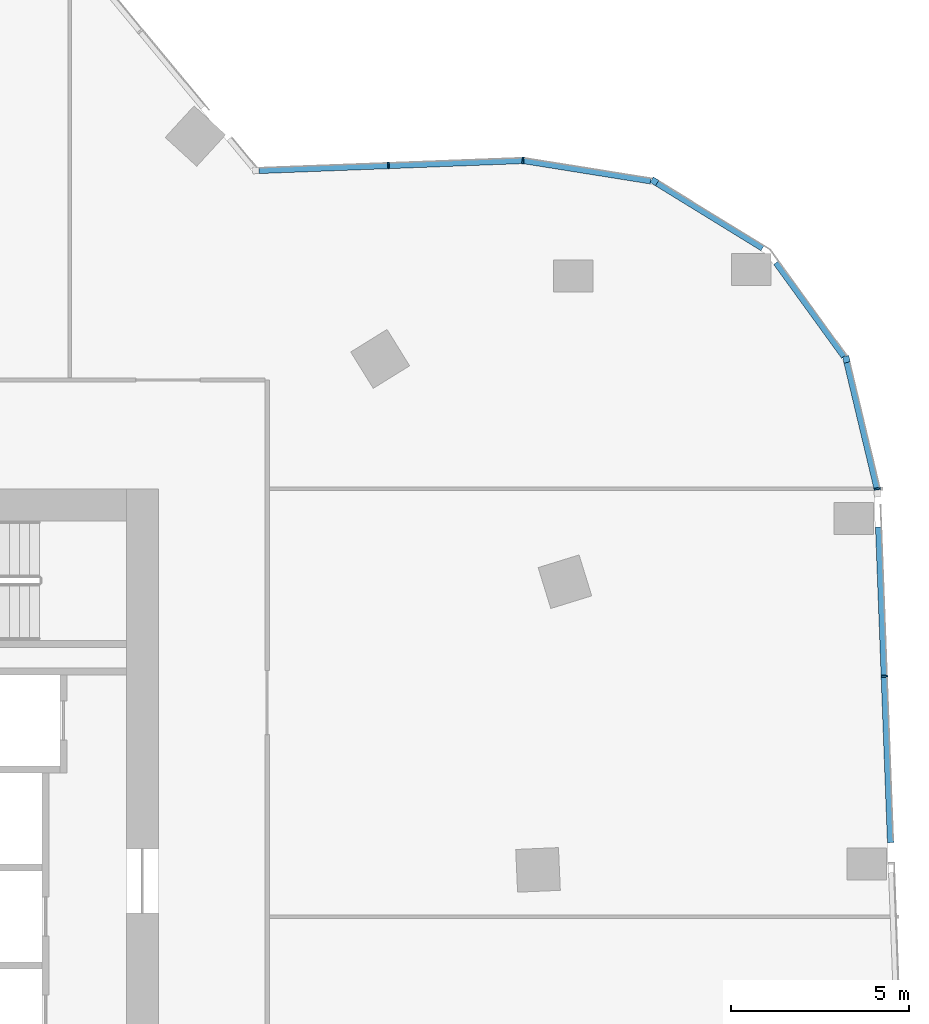
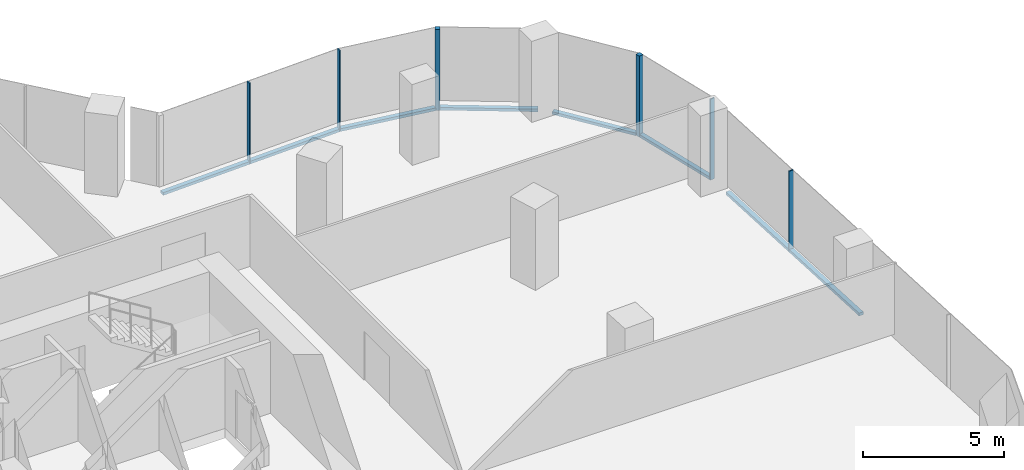
# One storey, part 12 of 24: 12 members, 6 elements without a shape of their own.
"""IFC4 building model written with IfcOpenShell, lengths in metres."""

from ifc_helpers import new_model, si_unit, direction, frame, origin, origin_2d, place, context, subcontext, project, spatial, rectangle, extrude, material, material_profile, profile_set, type_object, element, aggregate, save


model = new_model("IFC4")

# Units and contexts
model_context = context("Model", 3, precision=1e-05, world=origin(), true_north=direction((0.0, 1.0)))
body_context = subcontext(model_context, "Body", "Model", "MODEL_VIEW")
ifc_project = project(units=[si_unit("LENGTHUNIT", "METRE"), si_unit("AREAUNIT", "SQUARE_METRE"), si_unit("VOLUMEUNIT", "CUBIC_METRE"), si_unit("PLANEANGLEUNIT", "RADIAN"), si_unit("MASSUNIT", "GRAM", prefix="KILO")], contexts=[model_context])

# Site, building, storey
site_placement = place(None, origin())
site = spatial("IfcSite", under=ifc_project, at=site_placement, CompositionType="ELEMENT")
building_placement = place(site_placement, origin())
building = spatial("IfcBuilding", under=site, at=building_placement, Name="Orlundy Tower", CompositionType="ELEMENT")
storey_placement = place(building_placement, frame((0.0, 0.0, 170.60009765625)))
storey = spatial("IfcBuildingStorey", under=building, at=storey_placement, Name="L44", CompositionType="ELEMENT", Elevation=170.60009765625)

# Curtain wall, member
ifc_material_1 = material(Name="Aluminium bronze anodised", Category="aluminium")
curtain_wall_type = type_object("IfcCurtainWallType", Name="CW1 wall", PredefinedType="NOTDEFINED", material=ifc_material_1)
curtain_wall_1_placement = place(storey_placement, origin())
curtain_wall_1 = element("IfcCurtainWall", 1, at=curtain_wall_1_placement, inside=storey, type_object=curtain_wall_type, Name="CW1 run 08", PredefinedType="NOTDEFINED")
ifc_material_2 = material(Name="Aluminium bronze anodised", Category="aluminium")
ifc_material_profile_1 = material_profile(ifc_material_2, rectangle(XDim=0.179931640625, YDim=0.179931640625, at=origin_2d()), Name="CW1 corner post 180x180")
ifc_profile_set_1 = profile_set([ifc_material_profile_1], Name="Aluminium bronze anodised")
member_type_1 = type_object("IfcMemberType", Name="CW1 corner post 180x180", PredefinedType="MULLION", material=ifc_profile_set_1)
member_1_placement = place(storey_placement, frame((32.914794921875, 20.62109375, -0.420166015625), z_axis=(0.0, 0.0, 1.0), x_axis=(0.523946886645, 0.85175093776, 0.0)))
member_1 = element("IfcMember", 2, at=member_1_placement, type_object=member_type_1, Name="CW1 mullion 29", PredefinedType="MULLION", context=body_context, shape_type="SweptSolid", body=[
    extrude(rectangle(XDim=0.179931640625, YDim=0.179931640625, at=origin_2d()), origin(), (0.0, 0.0, 1.0), 3.5),
])

curtain_wall_2_placement = place(storey_placement, origin())
curtain_wall_2 = element("IfcCurtainWall", 3, at=curtain_wall_2_placement, inside=storey, type_object=curtain_wall_type, Name="CW1 run 010", PredefinedType="NOTDEFINED")
member_2_placement = place(storey_placement, frame((38.29833984375, 15.62939453125, -0.420166015625), z_axis=(0.0, 0.0, 1.0), x_axis=(0.972704793959, 0.23204608122, 0.0)))
member_2 = element("IfcMember", 4, at=member_2_placement, type_object=member_type_1, Name="CW1 mullion 31", PredefinedType="MULLION", context=body_context, shape_type="SweptSolid", body=[
    extrude(rectangle(XDim=0.179931640625, YDim=0.179931640625, at=origin_2d()), origin(), (0.0, 0.0, 1.0), 3.5),
])

curtain_wall_3_placement = place(storey_placement, origin())
curtain_wall_3 = element("IfcCurtainWall", 5, at=curtain_wall_3_placement, inside=storey, type_object=curtain_wall_type, Name="CW1 run 06", PredefinedType="NOTDEFINED")
ifc_material_3 = material(Name="Aluminium bronze anodised", Category="aluminium")
ifc_material_profile_2 = material_profile(ifc_material_3, rectangle(XDim=0.179931640625, YDim=0.050048828125, at=origin_2d()), Name="CW1 mullion 50x180")
ifc_profile_set_2 = profile_set([ifc_material_profile_2], Name="Aluminium bronze anodised")
member_type_2 = type_object("IfcMemberType", Name="CW1 mullion 50x180", PredefinedType="MULLION", material=ifc_profile_set_2)
member_3_placement = place(storey_placement, frame((25.455078125, 21.0673828125, -0.420166015625), z_axis=(0.0, 0.0, 1.0), x_axis=(-0.037836578056, 0.99928394031, 0.0)))
member_3 = element("IfcMember", 6, at=member_3_placement, type_object=member_type_2, Name="CW1 mullion 27", PredefinedType="MULLION", context=body_context, shape_type="SweptSolid", body=[
    extrude(rectangle(XDim=0.179931640625, YDim=0.050048828125, at=origin_2d()), origin(), (0.0, 0.0, 1.0), 3.5),
])

curtain_wall_4_placement = place(storey_placement, origin())
curtain_wall_4 = element("IfcCurtainWall", 7, at=curtain_wall_4_placement, inside=storey, type_object=curtain_wall_type, Name="CW1 run 07", PredefinedType="NOTDEFINED")
member_4_placement = place(storey_placement, frame((29.2275390625, 21.210205078125, -0.420166015625), z_axis=(0.0, 0.0, 1.0), x_axis=(0.060267073415, 0.998182287892, 0.0)))
member_4 = element("IfcMember", 8, at=member_4_placement, type_object=member_type_2, Name="CW1 mullion 28", PredefinedType="MULLION", context=body_context, shape_type="SweptSolid", body=[
    extrude(rectangle(XDim=0.179931640625, YDim=0.050048828125, at=origin_2d()), origin(), (0.0, 0.0, 1.0), 3.5),
])

# Curtain wall, members
curtain_wall_5_placement = place(storey_placement, origin())
curtain_wall_5 = element("IfcCurtainWall", 9, at=curtain_wall_5_placement, inside=storey, type_object=curtain_wall_type, Name="CW1 run 011", PredefinedType="NOTDEFINED")
member_5_placement = place(storey_placement, frame((39.16455078125, 11.998291015625, -0.420166015625), z_axis=(0.0, 0.0, 1.0), x_axis=(0.990766302188, 0.135580730372, 0.0)))
member_5 = element("IfcMember", 10, at=member_5_placement, type_object=member_type_2, Name="CW1 mullion 32", PredefinedType="MULLION", context=body_context, shape_type="SweptSolid", body=[
    extrude(rectangle(XDim=0.179931640625, YDim=0.050048828125, at=origin_2d()), origin(), (0.0, 0.0, 1.0), 3.5),
])
member_6_placement = place(storey_placement, frame((39.363525390625, 6.7431640625, -0.420166015625), z_axis=(0.0, 0.0, 1.0), x_axis=(0.999284965389, 0.03780949547, 0.0)))
member_6 = element("IfcMember", 11, at=member_6_placement, type_object=member_type_2, Name="CW1 mullion 33", PredefinedType="MULLION", context=body_context, shape_type="SweptSolid", body=[
    extrude(rectangle(XDim=0.179931640625, YDim=0.050048828125, at=origin_2d()), origin(), (0.0, 0.0, 1.0), 3.5),
])

# Member
ifc_material_4 = material(Name="Aluminium bronze anodised", Category="aluminium")
ifc_material_profile_3 = material_profile(ifc_material_4, rectangle(XDim=0.179931640625, YDim=0.1201171875, at=origin_2d()), Name="CW1 transom 180x120")
ifc_profile_set_3 = profile_set([ifc_material_profile_3], Name="Aluminium bronze anodised")
member_type_3 = type_object("IfcMemberType", Name="CW1 transom 180x120", PredefinedType="USERDEFINED", material=ifc_profile_set_3)
member_7_placement = place(storey_placement, frame((21.825927734375, 20.929931640625, -0.360107421875), z_axis=(0.999283957256, 0.037836130506, 0.0), x_axis=(-0.037836130506, 0.999283957256, 0.0)))
member_7 = element("IfcMember", 12, at=member_7_placement, type_object=member_type_3, Name="CW1 transom", ObjectType="TRANSOM", PredefinedType="USERDEFINED", context=body_context, shape_type="SweptSolid", body=[
    extrude(rectangle(XDim=0.179931640625, YDim=0.1201171875, at=origin_2d()), origin(), (0.0, 0.0, 1.0), 7.3818359375),
])

aggregate(curtain_wall_3, [member_3, member_7])

member_8_placement = place(storey_placement, frame((29.252197265625, 21.206298828125, -0.360107421875), z_axis=(0.987475198306, -0.157774309477, 0.0), x_axis=(0.157774309477, 0.987475198306, 0.0)))
member_8 = element("IfcMember", 13, at=member_8_placement, type_object=member_type_3, Name="CW1 transom", ObjectType="TRANSOM", PredefinedType="USERDEFINED", context=body_context, shape_type="SweptSolid", body=[
    extrude(rectangle(XDim=0.179931640625, YDim=0.1201171875, at=origin_2d()), origin(), (0.0, 0.0, 1.0), 3.611572265625),
])

aggregate(curtain_wall_4, [member_4, member_8])

member_9_placement = place(storey_placement, frame((32.991455078125, 20.573974609375, -0.360107421875), z_axis=(0.851737899399, -0.523968081783, 0.0), x_axis=(0.523968081783, 0.851737899399, 0.0)))
member_9 = element("IfcMember", 14, at=member_9_placement, type_object=member_type_3, Name="CW1 transom", ObjectType="TRANSOM", PredefinedType="USERDEFINED", context=body_context, shape_type="SweptSolid", body=[
    extrude(rectangle(XDim=0.179931640625, YDim=0.1201171875, at=origin_2d()), origin(), (0.0, 0.0, 1.0), 3.4755859375),
])

aggregate(curtain_wall_1, [member_1, member_9])

# Curtain wall, member
curtain_wall_6_placement = place(storey_placement, origin())
curtain_wall_6 = element("IfcCurtainWall", 15, at=curtain_wall_6_placement, inside=storey, type_object=curtain_wall_type, Name="CW1 run 09", PredefinedType="NOTDEFINED")
member_10_placement = place(storey_placement, frame((36.33203125, 18.34326171875, -0.360107421875), z_axis=(0.586725338284, -0.809786007174, 0.0), x_axis=(0.809786007174, 0.586725338284, 0.0)))
member_10 = element("IfcMember", 16, at=member_10_placement, type_object=member_type_3, Name="CW1 transom", ObjectType="TRANSOM", PredefinedType="USERDEFINED", context=body_context, shape_type="SweptSolid", body=[
    extrude(rectangle(XDim=0.179931640625, YDim=0.1201171875, at=origin_2d()), origin(), (0.0, 0.0, 1.0), 3.25390625),
])
aggregate(curtain_wall_6, [member_10])

# Member
member_11_placement = place(storey_placement, frame((38.3193359375, 15.541748046875, -0.360107421875), z_axis=(0.232009772326, -0.972713455004, 0.0), x_axis=(0.972713455004, 0.232009772326, 0.0)))
member_11 = element("IfcMember", 17, at=member_11_placement, type_object=member_type_3, Name="CW1 transom", ObjectType="TRANSOM", PredefinedType="USERDEFINED", context=body_context, shape_type="SweptSolid", body=[
    extrude(rectangle(XDim=0.179931640625, YDim=0.1201171875, at=origin_2d()), origin(), (0.0, 0.0, 1.0), 3.61767578125),
])

aggregate(curtain_wall_2, [member_2, member_11])

member_12_placement = place(storey_placement, frame((39.205078125, 10.930419921875, -0.360107421875), z_axis=(0.037809145603, -0.999284978627, 0.0), x_axis=(0.999284978627, 0.037809145603, 0.0)))
member_12 = element("IfcMember", 18, at=member_12_placement, type_object=member_type_3, Name="CW1 transom", ObjectType="TRANSOM", PredefinedType="USERDEFINED", context=body_context, shape_type="SweptSolid", body=[
    extrude(rectangle(XDim=0.179931640625, YDim=0.1201171875, at=origin_2d()), origin(), (0.0, 0.0, 1.0), 8.86572265625),
])

aggregate(curtain_wall_5, [member_5, member_6, member_12])

save(model, "model.ifc")
